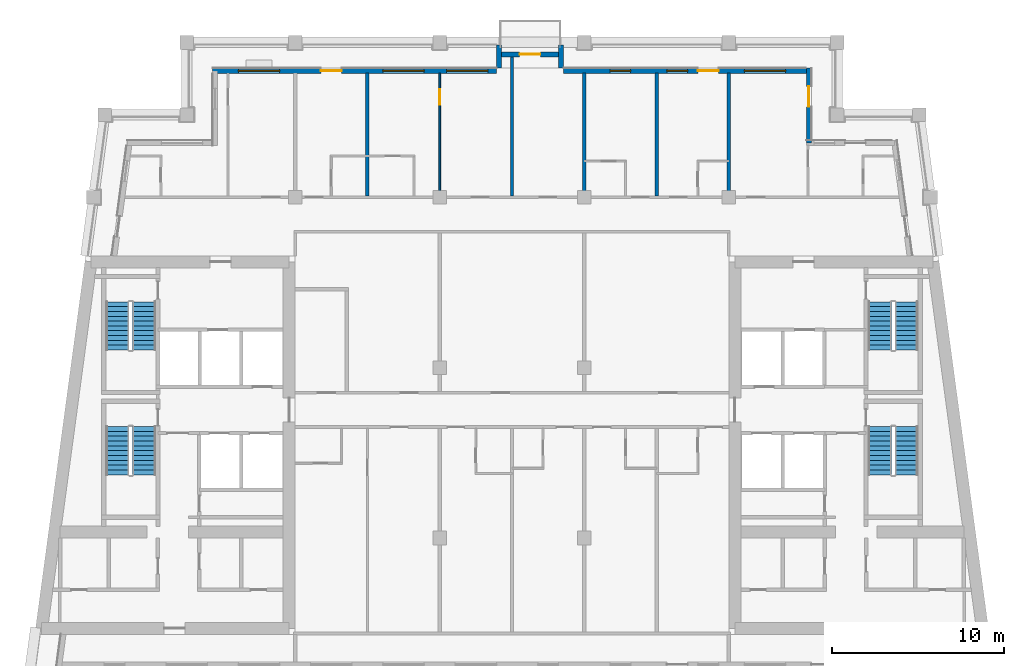
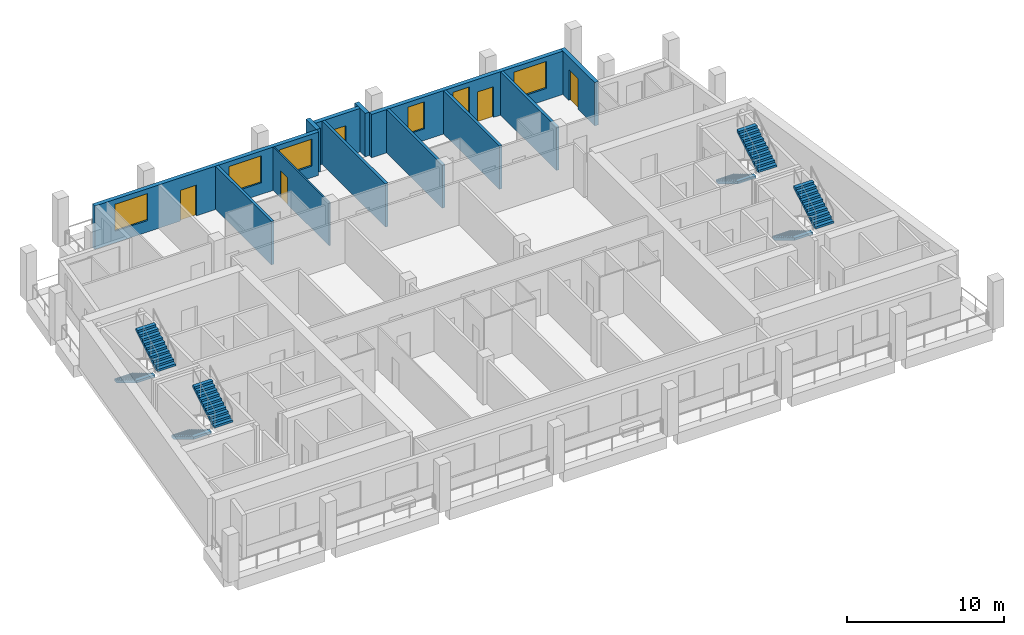
# One storey, part 7 of 13: 12 walls, 8 stair flights, 6 windows, 5 doors, 11 openings, 4 elements without a shape of their own.
"""IFC4 building model written with IfcOpenShell, lengths in metres."""

from ifc_helpers import new_model, si_unit, direction, frame, frame_2d, origin, place, context, subcontext, project, spatial, polyline, rectangle, outline, extrude, material, layer, layer_set, type_object, element, fill, aggregate, save


model = new_model("IFC4")

# Units and contexts
model_context = context("Model", 3, precision=1e-05, world=origin(), true_north=direction((0.0, 1.0)))
body_context = subcontext(model_context, "Body", "Model", "MODEL_VIEW")
ifc_project = project(units=[si_unit("LENGTHUNIT", "METRE"), si_unit("AREAUNIT", "SQUARE_METRE"), si_unit("VOLUMEUNIT", "CUBIC_METRE"), si_unit("PLANEANGLEUNIT", "RADIAN"), si_unit("MASSUNIT", "GRAM", prefix="KILO")], contexts=[model_context])

# Site, building, storey
site_placement = place(None, origin())
site = spatial("IfcSite", under=ifc_project, at=site_placement, CompositionType="ELEMENT")
building_placement = place(site_placement, origin())
building = spatial("IfcBuilding", under=site, at=building_placement, Name="Candeia Pilgrim Tower and Theatre", CompositionType="ELEMENT")
storey_placement = place(building_placement, frame((0.0, 0.0, 270.10009765625)))
storey = spatial("IfcBuildingStorey", under=building, at=storey_placement, Name="L65", CompositionType="ELEMENT", Elevation=270.10009765625)

# Wall, opening, door
ifc_material_1 = material(Name="Ceramic block masonry", Category="masonry")
ifc_layer_1 = layer(ifc_material_1, 0.300048828125)
ifc_layer_set_1 = layer_set([ifc_layer_1], Name="EW1 glazing-line wall 300")
wall_type_1 = type_object("IfcWallType", Name="EW1 glazing-line wall 300", PredefinedType="SOLIDWALL", material=ifc_layer_set_1)
wall_1_placement = place(storey_placement, frame((130.64990234375, 138.949951171875, 0.0), z_axis=(0.0, 0.0, 1.0), x_axis=(0.0, 1.0, 0.0)))
wall_1 = element("IfcWall", 1, at=wall_1_placement, inside=storey, type_object=wall_type_1, Name="External wall L65-4.0", PredefinedType="SOLIDWALL", context=body_context, shape_type="SweptSolid", body=[
    extrude(rectangle(XDim=4.35009765625, YDim=0.300048828125, at=frame_2d((2.175048828125, 0.0))), origin(), (0.0, 0.0, 1.0), 3.3798828125),
])
opening_1_placement = place(wall_1_placement, frame((2.10009765625, 0.0, 0.0)))
opening_1 = element("IfcOpeningElement", 2, at=opening_1_placement, cuts=wall_1, Name="Opening L65-ED617", PredefinedType="OPENING", context=body_context, shape_type="SweptSolid", body=[
    extrude(rectangle(XDim=1.199951171875, YDim=2.39990234375, at=frame_2d((0.60009765625, 1.199951171875))), frame((0.0, 0.16015625, 0.0), z_axis=(0.0, -1.0, 0.0), x_axis=(1.0, 0.0, 0.0)), (0.0, 0.0, 1.0), 0.320068359375),
])
ifc_material_2 = material(Name="Aluminium framed glazed door", Category="aluminium")
door_type_1 = type_object("IfcDoorType", Name="Loggia door 1200x2400", OperationType="DOUBLE_DOOR_SINGLE_SWING", PredefinedType="DOOR", material=ifc_material_2)
door_1_placement = place(opening_1_placement, origin())
door_1 = element("IfcDoor", 3, at=door_1_placement, inside=storey, type_object=door_type_1, Name="Loggia door L65-ED617", OperationType="DOUBLE_DOOR_SINGLE_SWING", OverallHeight=2.39990234375, OverallWidth=1.199951171875, PredefinedType="DOOR", context=body_context, shape_type="SweptSolid", body=[
    extrude(rectangle(XDim=1.199951171875, YDim=2.39990234375, at=frame_2d((0.60009765625, 1.199951171875))), frame((0.0, 0.02490234375, 0.0), z_axis=(0.0, -1.0, 0.0), x_axis=(1.0, 0.0, 0.0)), (0.0, 0.0, 1.0), 0.050048828125),
])
fill(opening_1, door_1)

# Wall, openings, door, windows
wall_2_placement = place(storey_placement, frame((130.64990234375, 143.14990234375, 0.0), z_axis=(0.0, 0.0, 1.0), x_axis=(-1.0, 0.0, 0.0)))
wall_2 = element("IfcWall", 4, at=wall_2_placement, inside=storey, type_object=wall_type_1, Name="External wall L65-5.0", PredefinedType="SOLIDWALL", context=body_context, shape_type="SweptSolid", body=[
    extrude(rectangle(XDim=14.25, YDim=0.300048828125, at=frame_2d((7.125, 0.0))), origin(), (0.0, 0.0, 1.0), 3.3798828125),
])
opening_2_placement = place(wall_2_placement, frame((1.35009765625, 0.0, 0.89990234375)))
opening_2 = element("IfcOpeningElement", 5, at=opening_2_placement, cuts=wall_2, Name="Opening W-A", PredefinedType="OPENING", context=body_context, shape_type="SweptSolid", body=[
    extrude(rectangle(XDim=2.39990234375, YDim=2.10009765625, at=frame_2d((1.199951171875, 1.050048828125))), frame((0.0, 0.16015625, 0.0), z_axis=(0.0, -1.0, 0.0), x_axis=(1.0, 0.0, 0.0)), (0.0, 0.0, 1.0), 0.320068359375),
])
opening_3_placement = place(wall_2_placement, frame((5.25, 0.0, 0.0)))
opening_3 = element("IfcOpeningElement", 6, at=opening_3_placement, cuts=wall_2, Name="Opening L65-ED618", PredefinedType="OPENING", context=body_context, shape_type="SweptSolid", body=[
    extrude(rectangle(XDim=1.199951171875, YDim=2.39990234375, at=frame_2d((0.60009765625, 1.199951171875))), frame((0.0, 0.16015625, 0.0), z_axis=(0.0, -1.0, 0.0), x_axis=(1.0, 0.0, 0.0)), (0.0, 0.0, 1.0), 0.320068359375),
])
opening_4_placement = place(wall_2_placement, frame((7.050048828125, 0.0, 0.89990234375)))
opening_4 = element("IfcOpeningElement", 7, at=opening_4_placement, cuts=wall_2, Name="Opening W-B", PredefinedType="OPENING", context=body_context, shape_type="SweptSolid", body=[
    extrude(rectangle(XDim=1.199951171875, YDim=2.10009765625, at=frame_2d((0.60009765625, 1.050048828125))), frame((0.0, 0.16015625, 0.0), z_axis=(0.0, -1.0, 0.0), x_axis=(1.0, 0.0, 0.0)), (0.0, 0.0, 1.0), 0.320068359375),
])
opening_5_placement = place(wall_2_placement, frame((10.35009765625, 0.0, 0.89990234375)))
opening_5 = element("IfcOpeningElement", 8, at=opening_5_placement, cuts=wall_2, Name="Opening W-B", PredefinedType="OPENING", context=body_context, shape_type="SweptSolid", body=[
    extrude(rectangle(XDim=1.199951171875, YDim=2.10009765625, at=frame_2d((0.60009765625, 1.050048828125))), frame((0.0, 0.16015625, 0.0), z_axis=(0.0, -1.0, 0.0), x_axis=(1.0, 0.0, 0.0)), (0.0, 0.0, 1.0), 0.320068359375),
])
door_2_placement = place(opening_3_placement, origin())
door_2 = element("IfcDoor", 9, at=door_2_placement, inside=storey, type_object=door_type_1, Name="Loggia door L65-ED618", OperationType="DOUBLE_DOOR_SINGLE_SWING", OverallHeight=2.39990234375, OverallWidth=1.199951171875, PredefinedType="DOOR", context=body_context, shape_type="SweptSolid", body=[
    extrude(rectangle(XDim=1.199951171875, YDim=2.39990234375, at=frame_2d((0.60009765625, 1.199951171875))), frame((0.0, 0.02490234375, 0.0), z_axis=(0.0, -1.0, 0.0), x_axis=(1.0, 0.0, 0.0)), (0.0, 0.0, 1.0), 0.050048828125),
])
fill(opening_3, door_2)
ifc_material_3 = material(Name="Aluminium framed double glazing", Category="aluminium")
window_type_1 = type_object("IfcWindowType", Name="W-A window 2400x2100", PartitioningType="DOUBLE_PANEL_VERTICAL", PredefinedType="WINDOW", material=ifc_material_3)
window_1_placement = place(opening_2_placement, origin())
window_1 = element("IfcWindow", 10, at=window_1_placement, inside=storey, type_object=window_type_1, Name="Window W-A L65", OverallHeight=2.10009765625, OverallWidth=2.39990234375, PartitioningType="SINGLE_PANEL", PredefinedType="WINDOW", context=body_context, shape_type="SweptSolid", body=[
    extrude(rectangle(XDim=2.39990234375, YDim=2.10009765625, at=frame_2d((1.199951171875, 1.050048828125))), frame((0.0, 0.030029296875, 0.0), z_axis=(0.0, -1.0, 0.0), x_axis=(1.0, 0.0, 0.0)), (0.0, 0.0, 1.0), 0.06005859375),
])
fill(opening_2, window_1)
window_type_2 = type_object("IfcWindowType", Name="W-B window 1200x2100", PartitioningType="SINGLE_PANEL", PredefinedType="WINDOW", material=ifc_material_3)
window_2_placement = place(opening_4_placement, origin())
window_2 = element("IfcWindow", 11, at=window_2_placement, inside=storey, type_object=window_type_2, Name="Window W-B L65", OverallHeight=2.10009765625, OverallWidth=1.199951171875, PartitioningType="SINGLE_PANEL", PredefinedType="WINDOW", context=body_context, shape_type="SweptSolid", body=[
    extrude(rectangle(XDim=1.199951171875, YDim=2.10009765625, at=frame_2d((0.60009765625, 1.050048828125))), frame((0.0, 0.030029296875, 0.0), z_axis=(0.0, -1.0, 0.0), x_axis=(1.0, 0.0, 0.0)), (0.0, 0.0, 1.0), 0.06005859375),
])
fill(opening_4, window_2)
window_3_placement = place(opening_5_placement, origin())
window_3 = element("IfcWindow", 12, at=window_3_placement, inside=storey, type_object=window_type_2, Name="Window W-B L65", OverallHeight=2.10009765625, OverallWidth=1.199951171875, PartitioningType="SINGLE_PANEL", PredefinedType="WINDOW", context=body_context, shape_type="SweptSolid", body=[
    extrude(rectangle(XDim=1.199951171875, YDim=2.10009765625, at=frame_2d((0.60009765625, 1.050048828125))), frame((0.0, 0.030029296875, 0.0), z_axis=(0.0, -1.0, 0.0), x_axis=(1.0, 0.0, 0.0)), (0.0, 0.0, 1.0), 0.06005859375),
])
fill(opening_5, window_3)

wall_3_placement = place(storey_placement, frame((112.5, 143.14990234375, 0.0), z_axis=(0.0, 0.0, 1.0), x_axis=(-1.0, 0.0, 0.0)))
wall_3 = element("IfcWall", 13, at=wall_3_placement, inside=storey, type_object=wall_type_1, Name="External wall L65-5.1", PredefinedType="SOLIDWALL", context=body_context, shape_type="SweptSolid", body=[
    extrude(rectangle(XDim=16.5, YDim=0.300048828125, at=frame_2d((8.25, 0.0))), origin(), (0.0, 0.0, 1.0), 3.3798828125),
])
opening_6_placement = place(wall_3_placement, frame((0.5, 0.0, 0.89990234375)))
opening_6 = element("IfcOpeningElement", 14, at=opening_6_placement, cuts=wall_3, Name="Opening W-A", PredefinedType="OPENING", context=body_context, shape_type="SweptSolid", body=[
    extrude(rectangle(XDim=2.39990234375, YDim=2.10009765625, at=frame_2d((1.199951171875, 1.050048828125))), frame((0.0, 0.16015625, 0.0), z_axis=(0.0, -1.0, 0.0), x_axis=(1.0, 0.0, 0.0)), (0.0, 0.0, 1.0), 0.320068359375),
])
opening_7_placement = place(wall_3_placement, frame((4.199951171875, 0.0, 0.89990234375)))
opening_7 = element("IfcOpeningElement", 15, at=opening_7_placement, cuts=wall_3, Name="Opening W-A", PredefinedType="OPENING", context=body_context, shape_type="SweptSolid", body=[
    extrude(rectangle(XDim=2.39990234375, YDim=2.10009765625, at=frame_2d((1.199951171875, 1.050048828125))), frame((0.0, 0.16015625, 0.0), z_axis=(0.0, -1.0, 0.0), x_axis=(1.0, 0.0, 0.0)), (0.0, 0.0, 1.0), 0.320068359375),
])
opening_8_placement = place(wall_3_placement, frame((9.0, 0.0, 0.0)))
opening_8 = element("IfcOpeningElement", 16, at=opening_8_placement, cuts=wall_3, Name="Opening L65-ED619", PredefinedType="OPENING", context=body_context, shape_type="SweptSolid", body=[
    extrude(rectangle(XDim=1.199951171875, YDim=2.39990234375, at=frame_2d((0.60009765625, 1.199951171875))), frame((0.0, 0.16015625, 0.0), z_axis=(0.0, -1.0, 0.0), x_axis=(1.0, 0.0, 0.0)), (0.0, 0.0, 1.0), 0.320068359375),
])
opening_9_placement = place(wall_3_placement, frame((12.60009765625, 0.0, 0.89990234375)))
opening_9 = element("IfcOpeningElement", 17, at=opening_9_placement, cuts=wall_3, Name="Opening W-A", PredefinedType="OPENING", context=body_context, shape_type="SweptSolid", body=[
    extrude(rectangle(XDim=2.39990234375, YDim=2.10009765625, at=frame_2d((1.199951171875, 1.050048828125))), frame((0.0, 0.16015625, 0.0), z_axis=(0.0, -1.0, 0.0), x_axis=(1.0, 0.0, 0.0)), (0.0, 0.0, 1.0), 0.320068359375),
])
door_3_placement = place(opening_8_placement, origin())
door_3 = element("IfcDoor", 18, at=door_3_placement, inside=storey, type_object=door_type_1, Name="Loggia door L65-ED619", OperationType="DOUBLE_DOOR_SINGLE_SWING", OverallHeight=2.39990234375, OverallWidth=1.199951171875, PredefinedType="DOOR", context=body_context, shape_type="SweptSolid", body=[
    extrude(rectangle(XDim=1.199951171875, YDim=2.39990234375, at=frame_2d((0.60009765625, 1.199951171875))), frame((0.0, 0.02490234375, 0.0), z_axis=(0.0, -1.0, 0.0), x_axis=(1.0, 0.0, 0.0)), (0.0, 0.0, 1.0), 0.050048828125),
])
fill(opening_8, door_3)
window_4_placement = place(opening_6_placement, origin())
window_4 = element("IfcWindow", 19, at=window_4_placement, inside=storey, type_object=window_type_1, Name="Window W-A L65", OverallHeight=2.10009765625, OverallWidth=2.39990234375, PartitioningType="SINGLE_PANEL", PredefinedType="WINDOW", context=body_context, shape_type="SweptSolid", body=[
    extrude(rectangle(XDim=2.39990234375, YDim=2.10009765625, at=frame_2d((1.199951171875, 1.050048828125))), frame((0.0, 0.030029296875, 0.0), z_axis=(0.0, -1.0, 0.0), x_axis=(1.0, 0.0, 0.0)), (0.0, 0.0, 1.0), 0.06005859375),
])
fill(opening_6, window_4)
window_5_placement = place(opening_7_placement, origin())
window_5 = element("IfcWindow", 20, at=window_5_placement, inside=storey, type_object=window_type_1, Name="Window W-A L65", OverallHeight=2.10009765625, OverallWidth=2.39990234375, PartitioningType="SINGLE_PANEL", PredefinedType="WINDOW", context=body_context, shape_type="SweptSolid", body=[
    extrude(rectangle(XDim=2.39990234375, YDim=2.10009765625, at=frame_2d((1.199951171875, 1.050048828125))), frame((0.0, 0.030029296875, 0.0), z_axis=(0.0, -1.0, 0.0), x_axis=(1.0, 0.0, 0.0)), (0.0, 0.0, 1.0), 0.06005859375),
])
fill(opening_7, window_5)
window_6_placement = place(opening_9_placement, origin())
window_6 = element("IfcWindow", 21, at=window_6_placement, inside=storey, type_object=window_type_1, Name="Window W-A L65", OverallHeight=2.10009765625, OverallWidth=2.39990234375, PartitioningType="SINGLE_PANEL", PredefinedType="WINDOW", context=body_context, shape_type="SweptSolid", body=[
    extrude(rectangle(XDim=2.39990234375, YDim=2.10009765625, at=frame_2d((1.199951171875, 1.050048828125))), frame((0.0, 0.030029296875, 0.0), z_axis=(0.0, -1.0, 0.0), x_axis=(1.0, 0.0, 0.0)), (0.0, 0.0, 1.0), 0.06005859375),
])
fill(opening_9, window_6)

# Walls
ifc_layer_2 = layer(ifc_material_1, 0.300048828125)
ifc_layer_set_2 = layer_set([ifc_layer_2], Name="EW2 entrance infill wall 300")
wall_type_2 = type_object("IfcWallType", Name="EW2 entrance infill wall 300", PredefinedType="SOLIDWALL", material=ifc_layer_set_2)
for number, where, z_axis, x_axis, name in (
    (22, (116.25, 143.300048828125, 0.0), (0.0, 0.0, 1.0), (0.0, 1.0, 0.0), "Alcove wall L65"),
    (23, (112.64990234375, 143.300048828125, 0.0), (0.0, 0.0, 1.0), (0.0, 1.0, 0.0), "Alcove wall L65"),
):
    element("IfcWall", number, at=place(storey_placement, frame(where, z_axis=z_axis, x_axis=x_axis)), inside=storey, type_object=wall_type_2, Name=name, PredefinedType="SOLIDWALL", context=body_context, shape_type="SweptSolid", body=[
        extrude(rectangle(XDim=1.349853515625, YDim=0.300048828125, at=frame_2d((0.6748046875, 0.0))), origin(), (0.0, 0.0, 1.0), 3.3798828125),
    ])

# Wall, opening, door
wall_4_placement = place(storey_placement, frame((116.39990234375, 144.10009765625, 0.0), z_axis=(0.0, 0.0, 1.0), x_axis=(-1.0, 0.0, 0.0)))
wall_4 = element("IfcWall", 24, at=wall_4_placement, inside=storey, type_object=wall_type_2, Name="Alcove wall L65", PredefinedType="SOLIDWALL", context=body_context, shape_type="SweptSolid", body=[
    extrude(rectangle(XDim=3.89990234375, YDim=0.300048828125, at=frame_2d((1.949951171875, 0.0))), origin(), (0.0, 0.0, 1.0), 3.3798828125),
])
opening_10_placement = place(wall_4_placement, frame((1.35009765625, 0.0, 0.0)))
opening_10 = element("IfcOpeningElement", 25, at=opening_10_placement, cuts=wall_4, Name="Opening L65-ED620", PredefinedType="OPENING", context=body_context, shape_type="SweptSolid", body=[
    extrude(rectangle(XDim=1.199951171875, YDim=2.39990234375, at=frame_2d((0.60009765625, 1.199951171875))), frame((0.0, 0.16015625, 0.0), z_axis=(0.0, -1.0, 0.0), x_axis=(1.0, 0.0, 0.0)), (0.0, 0.0, 1.0), 0.320068359375),
])
door_4_placement = place(opening_10_placement, origin())
door_4 = element("IfcDoor", 26, at=door_4_placement, inside=storey, type_object=door_type_1, Name="Balcony door L65-ED620", OperationType="DOUBLE_DOOR_SINGLE_SWING", OverallHeight=2.39990234375, OverallWidth=1.199951171875, PredefinedType="DOOR", context=body_context, shape_type="SweptSolid", body=[
    extrude(rectangle(XDim=1.199951171875, YDim=2.39990234375, at=frame_2d((0.60009765625, 1.199951171875))), frame((0.0, 0.02490234375, 0.0), z_axis=(0.0, -1.0, 0.0), x_axis=(1.0, 0.0, 0.0)), (0.0, 0.0, 1.0), 0.050048828125),
])
fill(opening_10, door_4)

ifc_material_4 = material(Name="Gypsum board partition on steel studs", Category="steel")
ifc_layer_3 = layer(ifc_material_4, 0.10009765625)
ifc_layer_set_3 = layer_set([ifc_layer_3], Name="PW-100 room partition")
wall_type_3 = type_object("IfcWallType", Name="PW-100 room partition", PredefinedType="PARTITIONING", material=ifc_layer_set_3)
wall_5_placement = place(storey_placement, frame((109.199951171875, 135.875, 0.0), z_axis=(0.0, 0.0, 1.0), x_axis=(0.0, 1.0, 0.0)))
wall_5 = element("IfcWall", 27, at=wall_5_placement, inside=storey, type_object=wall_type_3, Name="Room partition L65-071", PredefinedType="PARTITIONING", context=body_context, shape_type="SweptSolid", body=[
    extrude(rectangle(XDim=7.135009765625, YDim=0.10009765625, at=frame_2d((3.5673828125, 0.0))), origin(), (0.0, 0.0, 1.0), 3.3798828125),
])
opening_11_placement = place(wall_5_placement, frame((5.2900390625, 0.0, 0.0)))
opening_11 = element("IfcOpeningElement", 28, at=opening_11_placement, cuts=wall_5, Name="Opening L65-D034", PredefinedType="OPENING", context=body_context, shape_type="SweptSolid", body=[
    extrude(rectangle(XDim=0.89990234375, YDim=2.10009765625, at=frame_2d((0.449951171875, 1.050048828125))), frame((0.0, 0.06005859375, 0.0), z_axis=(0.0, -1.0, 0.0), x_axis=(1.0, 0.0, 0.0)), (0.0, 0.0, 1.0), 0.1201171875),
])
ifc_material_5 = material(Name="Timber door leaf", Category="wood")
door_type_2 = type_object("IfcDoorType", Name="D-900", OperationType="NOTDEFINED", PredefinedType="DOOR", material=ifc_material_5)
door_5_placement = place(opening_11_placement, origin())
door_5 = element("IfcDoor", 29, at=door_5_placement, inside=storey, type_object=door_type_2, Name="Door L65-D034", OperationType="SINGLE_SWING_LEFT", OverallHeight=2.10009765625, OverallWidth=0.89990234375, PredefinedType="DOOR", context=body_context, shape_type="SweptSolid", body=[
    extrude(rectangle(XDim=0.89990234375, YDim=2.10009765625, at=frame_2d((0.449951171875, 1.050048828125))), frame((0.0, 0.02490234375, 0.0), z_axis=(0.0, -1.0, 0.0), x_axis=(1.0, 0.0, 0.0)), (0.0, 0.0, 1.0), 0.050048828125),
])
fill(opening_11, door_5)

# Walls
ifc_layer_4 = layer(ifc_material_4, 0.199951171875)
ifc_layer_set_4 = layer_set([ifc_layer_4], Name="PW-200 party wall")
wall_type_4 = type_object("IfcWallType", Name="PW-200 party wall", PredefinedType="PARTITIONING", material=ifc_layer_set_4)
wall_6_placement = place(storey_placement, frame((105.0, 135.875, 0.0), z_axis=(0.0, 0.0, 1.0), x_axis=(0.0, 1.0, 0.0)))
element("IfcWall", 30, at=wall_6_placement, inside=storey, type_object=wall_type_4, Name="Party wall L65-069", PredefinedType="PARTITIONING", context=body_context, shape_type="SweptSolid", body=[
    extrude(rectangle(XDim=7.135009765625, YDim=0.199951171875, at=frame_2d((3.5673828125, 0.0))), origin(), (0.0, 0.0, 1.0), 3.3798828125),
])
wall_7_placement = place(storey_placement, frame((113.39990234375, 135.875, 0.0), z_axis=(0.0, 0.0, 1.0), x_axis=(0.0, 1.0, 0.0)))
element("IfcWall", 31, at=wall_7_placement, inside=storey, type_object=wall_type_4, Name="Party wall L65-076", PredefinedType="PARTITIONING", context=body_context, shape_type="SweptSolid", body=[
    extrude(rectangle(XDim=8.0849609375, YDim=0.199951171875, at=frame_2d((4.04248046875, 0.0))), origin(), (0.0, 0.0, 1.0), 3.3798828125),
])
for number, where, z_axis, x_axis, name in (
    (32, (117.60009765625, 135.875, 0.0), (0.0, 0.0, 1.0), (0.0, 1.0, 0.0), "Party wall L65-080"),
    (33, (121.800048828125, 135.875, 0.0), (0.0, 0.0, 1.0), (0.0, 1.0, 0.0), "Party wall L65-084"),
    (34, (126.0, 135.875, 0.0), (0.0, 0.0, 1.0), (0.0, 1.0, 0.0), "Party wall L65-088"),
):
    element("IfcWall", number, at=place(storey_placement, frame(where, z_axis=z_axis, x_axis=x_axis)), inside=storey, type_object=wall_type_4, Name=name, PredefinedType="PARTITIONING", context=body_context, shape_type="SweptSolid", body=[
        extrude(rectangle(XDim=7.135009765625, YDim=0.199951171875, at=frame_2d((3.5673828125, 0.0))), origin(), (0.0, 0.0, 1.0), 3.3798828125),
    ])

# Stair, stair flights
ifc_material_6 = material(Name="Concrete C40/50", Category="concrete")
stair_type = type_object("IfcStairType", Name="ST-TWR dog-leg escape stair", PredefinedType="HALF_TURN_STAIR", material=ifc_material_6)
stair_1_placement = place(storey_placement, origin())
stair_1 = element("IfcStair", 35, at=stair_1_placement, inside=storey, type_object=stair_type, Name="L65 Escape stair ST1", PredefinedType="HALF_TURN_STAIR")
stair_flight_type = type_object("IfcStairFlightType", Name="SFL-RC stair flight", PredefinedType="STRAIGHT", material=ifc_material_6)
stair_flight_1_placement = place(storey_placement, frame((90.47705078125, 122.47509765625, 0.0), z_axis=(0.0, 0.0, 1.0), x_axis=(0.0, -1.0, 0.0)))
stair_flight_1 = element("IfcStairFlight", 36, at=stair_flight_1_placement, type_object=stair_flight_type, Name="ST1 flight 1", NumberOfRisers=11, NumberOfTreads=10, PredefinedType="STRAIGHT", RiserHeight=0.168181818, TreadLength=0.28, context=body_context, shape_type="SweptSolid", body=[
    extrude(outline(polyline([(0.0, 0.0), (0.0, 0.168212890625), (0.280029296875, 0.168212890625), (0.280029296875, 0.33642578125), (0.56005859375, 0.33642578125), (0.56005859375, 0.504638671875), (0.840087890625, 0.504638671875), (0.840087890625, 0.672607421875), (1.1201171875, 0.672607421875), (1.1201171875, 0.8408203125), (1.39990234375, 0.8408203125), (1.39990234375, 1.009033203125), (1.679931640625, 1.009033203125), (1.679931640625, 1.17724609375), (1.9599609375, 1.17724609375), (1.9599609375, 1.345458984375), (2.239990234375, 1.345458984375), (2.239990234375, 1.513671875), (2.52001953125, 1.513671875), (2.52001953125, 1.681884765625), (2.800048828125, 1.681884765625), (2.800048828125, 1.85009765625), (2.800048828125, 1.5068359375), (0.291015625, 0.0), (0.0, 0.0)])), frame((0.0, 0.675048828125, 0.0), z_axis=(0.0, -1.0, 0.0), x_axis=(1.0, 0.0, 0.0)), (0.0, 0.0, 1.0), 1.35009765625),
])
stair_flight_2_placement = place(storey_placement, frame((92.027099609375, 119.675048828125, 1.849853515625), z_axis=(0.0, 0.0, 1.0), x_axis=(0.0, 1.0, 0.0)))
stair_flight_2 = element("IfcStairFlight", 37, at=stair_flight_2_placement, type_object=stair_flight_type, Name="ST1 flight 2", NumberOfRisers=11, NumberOfTreads=10, PredefinedType="STRAIGHT", RiserHeight=0.168181818, TreadLength=0.28, context=body_context, shape_type="SweptSolid", body=[
    extrude(outline(polyline([(0.0, 0.0), (0.0, 0.168212890625), (0.280029296875, 0.168212890625), (0.280029296875, 0.33642578125), (0.56005859375, 0.33642578125), (0.56005859375, 0.504638671875), (0.840087890625, 0.504638671875), (0.840087890625, 0.672607421875), (1.1201171875, 0.672607421875), (1.1201171875, 0.8408203125), (1.39990234375, 0.8408203125), (1.39990234375, 1.009033203125), (1.679931640625, 1.009033203125), (1.679931640625, 1.17724609375), (1.9599609375, 1.17724609375), (1.9599609375, 1.345458984375), (2.239990234375, 1.345458984375), (2.239990234375, 1.513671875), (2.52001953125, 1.513671875), (2.52001953125, 1.681884765625), (2.800048828125, 1.681884765625), (2.800048828125, 1.85009765625), (2.800048828125, 1.5068359375), (0.291015625, 0.0), (0.0, 0.0)])), frame((0.0, 0.675048828125, 0.0), z_axis=(0.0, -1.0, 0.0), x_axis=(1.0, 0.0, 0.0)), (0.0, 0.0, 1.0), 1.35009765625),
])
aggregate(stair_1, [stair_flight_1, stair_flight_2])

stair_2_placement = place(storey_placement, origin())
stair_2 = element("IfcStair", 38, at=stair_2_placement, inside=storey, type_object=stair_type, Name="L65 Escape stair ST2", PredefinedType="HALF_TURN_STAIR")
stair_flight_3_placement = place(storey_placement, frame((90.47705078125, 129.72509765625, 0.0), z_axis=(0.0, 0.0, 1.0), x_axis=(0.0, -1.0, 0.0)))
stair_flight_3 = element("IfcStairFlight", 39, at=stair_flight_3_placement, type_object=stair_flight_type, Name="ST2 flight 1", NumberOfRisers=11, NumberOfTreads=10, PredefinedType="STRAIGHT", RiserHeight=0.168181818, TreadLength=0.28, context=body_context, shape_type="SweptSolid", body=[
    extrude(outline(polyline([(0.0, 0.0), (0.0, 0.168212890625), (0.280029296875, 0.168212890625), (0.280029296875, 0.33642578125), (0.56005859375, 0.33642578125), (0.56005859375, 0.504638671875), (0.840087890625, 0.504638671875), (0.840087890625, 0.672607421875), (1.1201171875, 0.672607421875), (1.1201171875, 0.8408203125), (1.39990234375, 0.8408203125), (1.39990234375, 1.009033203125), (1.679931640625, 1.009033203125), (1.679931640625, 1.17724609375), (1.9599609375, 1.17724609375), (1.9599609375, 1.345458984375), (2.239990234375, 1.345458984375), (2.239990234375, 1.513671875), (2.52001953125, 1.513671875), (2.52001953125, 1.681884765625), (2.800048828125, 1.681884765625), (2.800048828125, 1.85009765625), (2.800048828125, 1.5068359375), (0.291015625, 0.0), (0.0, 0.0)])), frame((0.0, 0.675048828125, 0.0), z_axis=(0.0, -1.0, 0.0), x_axis=(1.0, 0.0, 0.0)), (0.0, 0.0, 1.0), 1.35009765625),
])
stair_flight_4_placement = place(storey_placement, frame((92.027099609375, 126.925048828125, 1.849853515625), z_axis=(0.0, 0.0, 1.0), x_axis=(0.0, 1.0, 0.0)))
stair_flight_4 = element("IfcStairFlight", 40, at=stair_flight_4_placement, type_object=stair_flight_type, Name="ST2 flight 2", NumberOfRisers=11, NumberOfTreads=10, PredefinedType="STRAIGHT", RiserHeight=0.168181818, TreadLength=0.28, context=body_context, shape_type="SweptSolid", body=[
    extrude(outline(polyline([(0.0, 0.0), (0.0, 0.168212890625), (0.280029296875, 0.168212890625), (0.280029296875, 0.33642578125), (0.56005859375, 0.33642578125), (0.56005859375, 0.504638671875), (0.840087890625, 0.504638671875), (0.840087890625, 0.672607421875), (1.1201171875, 0.672607421875), (1.1201171875, 0.8408203125), (1.39990234375, 0.8408203125), (1.39990234375, 1.009033203125), (1.679931640625, 1.009033203125), (1.679931640625, 1.17724609375), (1.9599609375, 1.17724609375), (1.9599609375, 1.345458984375), (2.239990234375, 1.345458984375), (2.239990234375, 1.513671875), (2.52001953125, 1.513671875), (2.52001953125, 1.681884765625), (2.800048828125, 1.681884765625), (2.800048828125, 1.85009765625), (2.800048828125, 1.5068359375), (0.291015625, 0.0), (0.0, 0.0)])), frame((0.0, 0.675048828125, 0.0), z_axis=(0.0, -1.0, 0.0), x_axis=(1.0, 0.0, 0.0)), (0.0, 0.0, 1.0), 1.35009765625),
])
aggregate(stair_2, [stair_flight_3, stair_flight_4])

stair_3_placement = place(storey_placement, origin())
stair_3 = element("IfcStair", 41, at=stair_3_placement, inside=storey, type_object=stair_type, Name="L65 Escape stair ST3", PredefinedType="HALF_TURN_STAIR")
stair_flight_5_placement = place(storey_placement, frame((134.77294921875, 122.47509765625, 0.0), z_axis=(0.0, 0.0, 1.0), x_axis=(0.0, -1.0, 0.0)))
stair_flight_5 = element("IfcStairFlight", 42, at=stair_flight_5_placement, type_object=stair_flight_type, Name="ST3 flight 1", NumberOfRisers=11, NumberOfTreads=10, PredefinedType="STRAIGHT", RiserHeight=0.168181818, TreadLength=0.28, context=body_context, shape_type="SweptSolid", body=[
    extrude(outline(polyline([(0.0, 0.0), (0.0, 0.168212890625), (0.280029296875, 0.168212890625), (0.280029296875, 0.33642578125), (0.56005859375, 0.33642578125), (0.56005859375, 0.504638671875), (0.840087890625, 0.504638671875), (0.840087890625, 0.672607421875), (1.1201171875, 0.672607421875), (1.1201171875, 0.8408203125), (1.39990234375, 0.8408203125), (1.39990234375, 1.009033203125), (1.679931640625, 1.009033203125), (1.679931640625, 1.17724609375), (1.9599609375, 1.17724609375), (1.9599609375, 1.345458984375), (2.239990234375, 1.345458984375), (2.239990234375, 1.513671875), (2.52001953125, 1.513671875), (2.52001953125, 1.681884765625), (2.800048828125, 1.681884765625), (2.800048828125, 1.85009765625), (2.800048828125, 1.5068359375), (0.291015625, 0.0), (0.0, 0.0)])), frame((0.0, 0.675048828125, 0.0), z_axis=(0.0, -1.0, 0.0), x_axis=(1.0, 0.0, 0.0)), (0.0, 0.0, 1.0), 1.35009765625),
])
stair_flight_6_placement = place(storey_placement, frame((136.322998046875, 119.675048828125, 1.849853515625), z_axis=(0.0, 0.0, 1.0), x_axis=(0.0, 1.0, 0.0)))
stair_flight_6 = element("IfcStairFlight", 43, at=stair_flight_6_placement, type_object=stair_flight_type, Name="ST3 flight 2", NumberOfRisers=11, NumberOfTreads=10, PredefinedType="STRAIGHT", RiserHeight=0.168181818, TreadLength=0.28, context=body_context, shape_type="SweptSolid", body=[
    extrude(outline(polyline([(0.0, 0.0), (0.0, 0.168212890625), (0.280029296875, 0.168212890625), (0.280029296875, 0.33642578125), (0.56005859375, 0.33642578125), (0.56005859375, 0.504638671875), (0.840087890625, 0.504638671875), (0.840087890625, 0.672607421875), (1.1201171875, 0.672607421875), (1.1201171875, 0.8408203125), (1.39990234375, 0.8408203125), (1.39990234375, 1.009033203125), (1.679931640625, 1.009033203125), (1.679931640625, 1.17724609375), (1.9599609375, 1.17724609375), (1.9599609375, 1.345458984375), (2.239990234375, 1.345458984375), (2.239990234375, 1.513671875), (2.52001953125, 1.513671875), (2.52001953125, 1.681884765625), (2.800048828125, 1.681884765625), (2.800048828125, 1.85009765625), (2.800048828125, 1.5068359375), (0.291015625, 0.0), (0.0, 0.0)])), frame((0.0, 0.675048828125, 0.0), z_axis=(0.0, -1.0, 0.0), x_axis=(1.0, 0.0, 0.0)), (0.0, 0.0, 1.0), 1.35009765625),
])
aggregate(stair_3, [stair_flight_5, stair_flight_6])

stair_4_placement = place(storey_placement, origin())
stair_4 = element("IfcStair", 44, at=stair_4_placement, inside=storey, type_object=stair_type, Name="L65 Escape stair ST4", PredefinedType="HALF_TURN_STAIR")
stair_flight_7_placement = place(storey_placement, frame((134.77294921875, 129.72509765625, 0.0), z_axis=(0.0, 0.0, 1.0), x_axis=(0.0, -1.0, 0.0)))
stair_flight_7 = element("IfcStairFlight", 45, at=stair_flight_7_placement, type_object=stair_flight_type, Name="ST4 flight 1", NumberOfRisers=11, NumberOfTreads=10, PredefinedType="STRAIGHT", RiserHeight=0.168181818, TreadLength=0.28, context=body_context, shape_type="SweptSolid", body=[
    extrude(outline(polyline([(0.0, 0.0), (0.0, 0.168212890625), (0.280029296875, 0.168212890625), (0.280029296875, 0.33642578125), (0.56005859375, 0.33642578125), (0.56005859375, 0.504638671875), (0.840087890625, 0.504638671875), (0.840087890625, 0.672607421875), (1.1201171875, 0.672607421875), (1.1201171875, 0.8408203125), (1.39990234375, 0.8408203125), (1.39990234375, 1.009033203125), (1.679931640625, 1.009033203125), (1.679931640625, 1.17724609375), (1.9599609375, 1.17724609375), (1.9599609375, 1.345458984375), (2.239990234375, 1.345458984375), (2.239990234375, 1.513671875), (2.52001953125, 1.513671875), (2.52001953125, 1.681884765625), (2.800048828125, 1.681884765625), (2.800048828125, 1.85009765625), (2.800048828125, 1.5068359375), (0.291015625, 0.0), (0.0, 0.0)])), frame((0.0, 0.675048828125, 0.0), z_axis=(0.0, -1.0, 0.0), x_axis=(1.0, 0.0, 0.0)), (0.0, 0.0, 1.0), 1.35009765625),
])
stair_flight_8_placement = place(storey_placement, frame((136.322998046875, 126.925048828125, 1.849853515625), z_axis=(0.0, 0.0, 1.0), x_axis=(0.0, 1.0, 0.0)))
stair_flight_8 = element("IfcStairFlight", 46, at=stair_flight_8_placement, type_object=stair_flight_type, Name="ST4 flight 2", NumberOfRisers=11, NumberOfTreads=10, PredefinedType="STRAIGHT", RiserHeight=0.168181818, TreadLength=0.28, context=body_context, shape_type="SweptSolid", body=[
    extrude(outline(polyline([(0.0, 0.0), (0.0, 0.168212890625), (0.280029296875, 0.168212890625), (0.280029296875, 0.33642578125), (0.56005859375, 0.33642578125), (0.56005859375, 0.504638671875), (0.840087890625, 0.504638671875), (0.840087890625, 0.672607421875), (1.1201171875, 0.672607421875), (1.1201171875, 0.8408203125), (1.39990234375, 0.8408203125), (1.39990234375, 1.009033203125), (1.679931640625, 1.009033203125), (1.679931640625, 1.17724609375), (1.9599609375, 1.17724609375), (1.9599609375, 1.345458984375), (2.239990234375, 1.345458984375), (2.239990234375, 1.513671875), (2.52001953125, 1.513671875), (2.52001953125, 1.681884765625), (2.800048828125, 1.681884765625), (2.800048828125, 1.85009765625), (2.800048828125, 1.5068359375), (0.291015625, 0.0), (0.0, 0.0)])), frame((0.0, 0.675048828125, 0.0), z_axis=(0.0, -1.0, 0.0), x_axis=(1.0, 0.0, 0.0)), (0.0, 0.0, 1.0), 1.35009765625),
])
aggregate(stair_4, [stair_flight_7, stair_flight_8])

save(model, "model.ifc")
